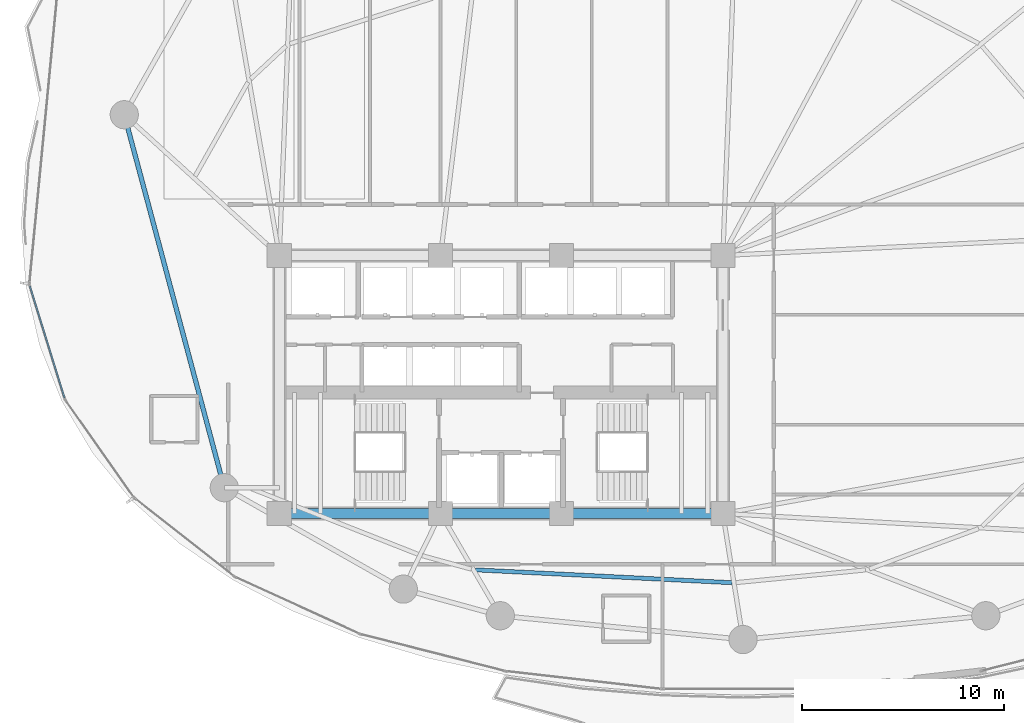
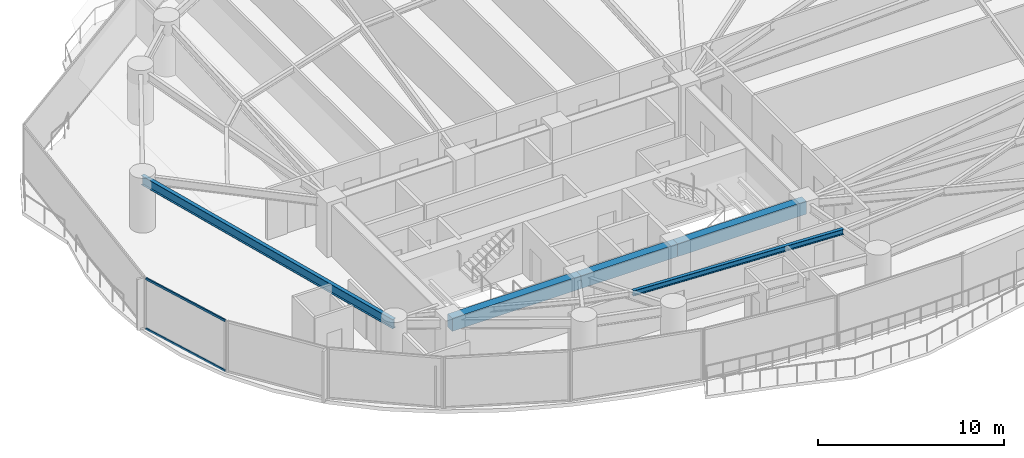
# One storey, part 7 of 31: 5 beams, 2 members, 1 element without a shape of its own.
"""IFC4 building model written with IfcOpenShell, lengths in metres."""

from ifc_helpers import new_model, si_unit, direction, frame, origin, origin_2d, place, context, subcontext, project, spatial, rectangle, hollow_rectangle, i_section, extrude, material, layer, layer_set, material_profile, profile_set, type_object, element, aggregate, save


model = new_model("IFC4")

# Units and contexts
model_context = context("Model", 3, precision=1e-05, world=origin(), true_north=direction((0.0, 1.0)))
body_context = subcontext(model_context, "Body", "Model", "MODEL_VIEW")
ifc_project = project(units=[si_unit("LENGTHUNIT", "METRE"), si_unit("AREAUNIT", "SQUARE_METRE"), si_unit("VOLUMEUNIT", "CUBIC_METRE"), si_unit("PLANEANGLEUNIT", "RADIAN"), si_unit("MASSUNIT", "GRAM", prefix="KILO")], contexts=[model_context])

# Site, building, storey
site_placement = place(None, origin())
site = spatial("IfcSite", under=ifc_project, at=site_placement, CompositionType="ELEMENT")
building_placement = place(site_placement, origin())
building = spatial("IfcBuilding", under=site, at=building_placement, Name="Kazevale Care Tower and Concert Hall", CompositionType="ELEMENT")
storey_placement = place(building_placement, frame((0.0, 0.0, 56.39990234375)))
storey = spatial("IfcBuildingStorey", under=building, at=storey_placement, Name="L14", CompositionType="ELEMENT", Elevation=56.39990234375)

# Curtain wall, members
ifc_material_1 = material(Name="Aluminium 6063-T6 and Low-E Glass", Category="aluminium")
ifc_layer = layer(ifc_material_1, 0.179931640625)
ifc_layer_set = layer_set([ifc_layer], Name="Aluminium 6063-T6 and Low-E Glass")
curtain_wall_type = type_object("IfcCurtainWallType", Name="Waist & Upper Residential Curtain Wall CW-4", PredefinedType="NOTDEFINED", material=ifc_layer_set)
curtain_wall_placement = place(storey_placement, origin())
curtain_wall = element("IfcCurtainWall", 1, at=curtain_wall_placement, inside=storey, type_object=curtain_wall_type, Name="cw:L14:f12", PredefinedType="NOTDEFINED")
ifc_material_2 = material(Name="Aluminium 6063-T6", Category="aluminium")
ifc_material_profile_1 = material_profile(ifc_material_2, hollow_rectangle(XDim=0.080078125, YDim=0.139892578125, WallThickness=0.00390625, at=origin_2d()), Name="ALU80x140x4")
ifc_profile_set_1 = profile_set([ifc_material_profile_1], Name="Aluminium 6063-T6")
member_type = type_object("IfcMemberType", Name="CW-4 Transom ALU80x140x4", PredefinedType="USERDEFINED", material=ifc_profile_set_1)
member_1_placement = place(storey_placement, frame((11.347412109375, 29.33447265625, 0.0400390625), z_axis=(-0.296117563823, 0.955151500232, 0.0), x_axis=(-0.955151500232, -0.296117563823, 0.0)))
member_1 = element("IfcMember", 2, at=member_1_placement, type_object=member_type, Name="CW-4 transom 1.1", ObjectType="TRANSOM", PredefinedType="USERDEFINED", context=body_context, shape_type="SweptSolid", body=[
    extrude(hollow_rectangle(XDim=0.080078125, YDim=0.139892578125, WallThickness=0.00390625, at=origin_2d()), origin(), (0.0, 0.0, 1.0), 5.8076171875),
])
member_2_placement = place(storey_placement, frame((11.347412109375, 29.33447265625, 3.320068359375), z_axis=(-0.296117563823, 0.955151500232, 0.0), x_axis=(-0.955151500232, -0.296117563823, 0.0)))
member_2 = element("IfcMember", 3, at=member_2_placement, type_object=member_type, Name="CW-4 transom 1.2", ObjectType="TRANSOM", PredefinedType="USERDEFINED", context=body_context, shape_type="SweptSolid", body=[
    extrude(hollow_rectangle(XDim=0.080078125, YDim=0.139892578125, WallThickness=0.00390625, at=origin_2d()), origin(), (0.0, 0.0, 1.0), 5.8076171875),
])
aggregate(curtain_wall, [member_1, member_2])

# Beams
ifc_material_3 = material(Name="Concrete C60", Category="concrete")
ifc_material_profile_2 = material_profile(ifc_material_3, rectangle(XDim=0.5, YDim=0.85009765625, at=origin_2d()), Name="RC-B500x850")
ifc_profile_set_2 = profile_set([ifc_material_profile_2], Name="Concrete C60")
beam_type_1 = type_object("IfcBeamType", Name="Core Coupling Beam RC500x850", PredefinedType="LINTEL", material=ifc_profile_set_2)
beam_1_placement = place(storey_placement, frame((22.0, 23.60009765625, 2.93505859375), z_axis=(1.0, 0.0, 0.0), x_axis=(0.0, 1.0, 0.0)))
element("IfcBeam", 4, at=beam_1_placement, inside=storey, type_object=beam_type_1, Name="beam:L14:coretie:1", PredefinedType="LINTEL", context=body_context, shape_type="SweptSolid", body=[
    extrude(rectangle(XDim=0.5, YDim=0.85009765625, at=origin_2d()), origin(), (0.0, 0.0, 1.0), 8.0),
])
beam_2_placement = place(storey_placement, frame((30.0, 23.60009765625, 2.93505859375), z_axis=(1.0, 0.0, 0.0), x_axis=(0.0, 1.0, 0.0)))
element("IfcBeam", 5, at=beam_2_placement, inside=storey, type_object=beam_type_1, Name="beam:L14:coretie:2", PredefinedType="LINTEL", context=body_context, shape_type="SweptSolid", body=[
    extrude(rectangle(XDim=0.5, YDim=0.85009765625, at=origin_2d()), origin(), (0.0, 0.0, 1.0), 6.0),
])
beam_3_placement = place(storey_placement, frame((36.0, 23.60009765625, 2.93505859375), z_axis=(1.0, 0.0, 0.0), x_axis=(0.0, 1.0, 0.0)))
element("IfcBeam", 6, at=beam_3_placement, inside=storey, type_object=beam_type_1, Name="beam:L14:coretie:3", PredefinedType="LINTEL", context=body_context, shape_type="SweptSolid", body=[
    extrude(rectangle(XDim=0.5, YDim=0.85009765625, at=origin_2d()), origin(), (0.0, 0.0, 1.0), 8.0),
])
ifc_material_4 = material(Name="Steel ASTM A572 Gr 50", Category="steel")
ifc_material_profile_3 = material_profile(ifc_material_4, i_section(OverallWidth=0.22900390625, OverallDepth=0.612060546875, WebThickness=0.011962890625, FlangeThickness=0.01953125, at=origin_2d()), Name="W610x125")
ifc_profile_set_3 = profile_set([ifc_material_profile_3], Name="Steel ASTM A572 Gr 50")
beam_type_2 = type_object("IfcBeamType", Name="Ring Spandrel Beam W610x125", PredefinedType="SPANDREL", material=ifc_profile_set_3)
beam_4_placement = place(storey_placement, frame((14.31005859375, 43.3798828125, 3.05419921875), z_axis=(0.258960352031, -0.965887952133, 0.0), x_axis=(0.965887952133, 0.258960352031, 0.0)))
element("IfcBeam", 7, at=beam_4_placement, inside=storey, type_object=beam_type_2, Name="beam:L14:ring:09", PredefinedType="SPANDREL", context=body_context, shape_type="SweptSolid", body=[
    extrude(i_section(OverallWidth=0.22900390625, OverallDepth=0.612060546875, WebThickness=0.011962890625, FlangeThickness=0.01953125, at=origin_2d()), origin(), (0.0, 0.0, 1.0), 19.1533203125),
])
ifc_material_profile_4 = material_profile(ifc_material_4, i_section(OverallWidth=0.205078125, OverallDepth=0.35400390625, WebThickness=0.009521484375, FlangeThickness=0.016845703125, at=origin_2d()), Name="W360x79")
ifc_profile_set_4 = profile_set([ifc_material_profile_4], Name="Steel ASTM A572 Gr 50")
beam_type_3 = type_object("IfcBeamType", Name="Secondary Floor Joist W360x79", PredefinedType="JOIST", material=ifc_profile_set_4)
beam_5_placement = place(storey_placement, frame((31.73291015625, 20.805908203125, 3.18310546875), z_axis=(0.998743186005, -0.050120339262, 0.0), x_axis=(0.050120339262, 0.998743186005, 0.0)))
element("IfcBeam", 8, at=beam_5_placement, inside=storey, type_object=beam_type_3, Name="beam:L14:joist:12", PredefinedType="JOIST", context=body_context, shape_type="SweptSolid", body=[
    extrude(i_section(OverallWidth=0.205078125, OverallDepth=0.35400390625, WebThickness=0.009521484375, FlangeThickness=0.016845703125, at=origin_2d()), origin(), (0.0, 0.0, 1.0), 12.728271484375),
])

save(model, "model.ifc")
